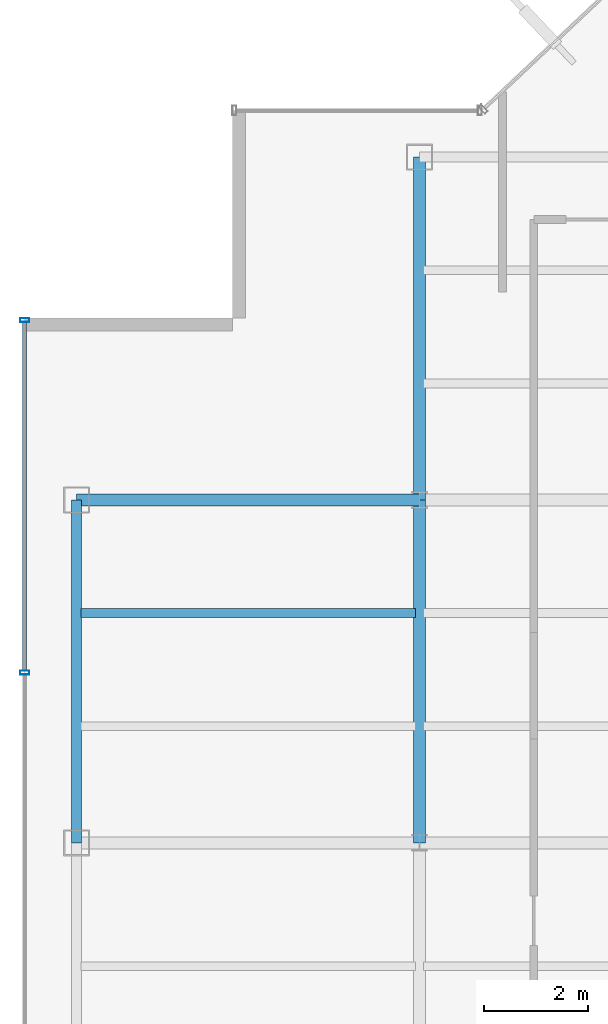
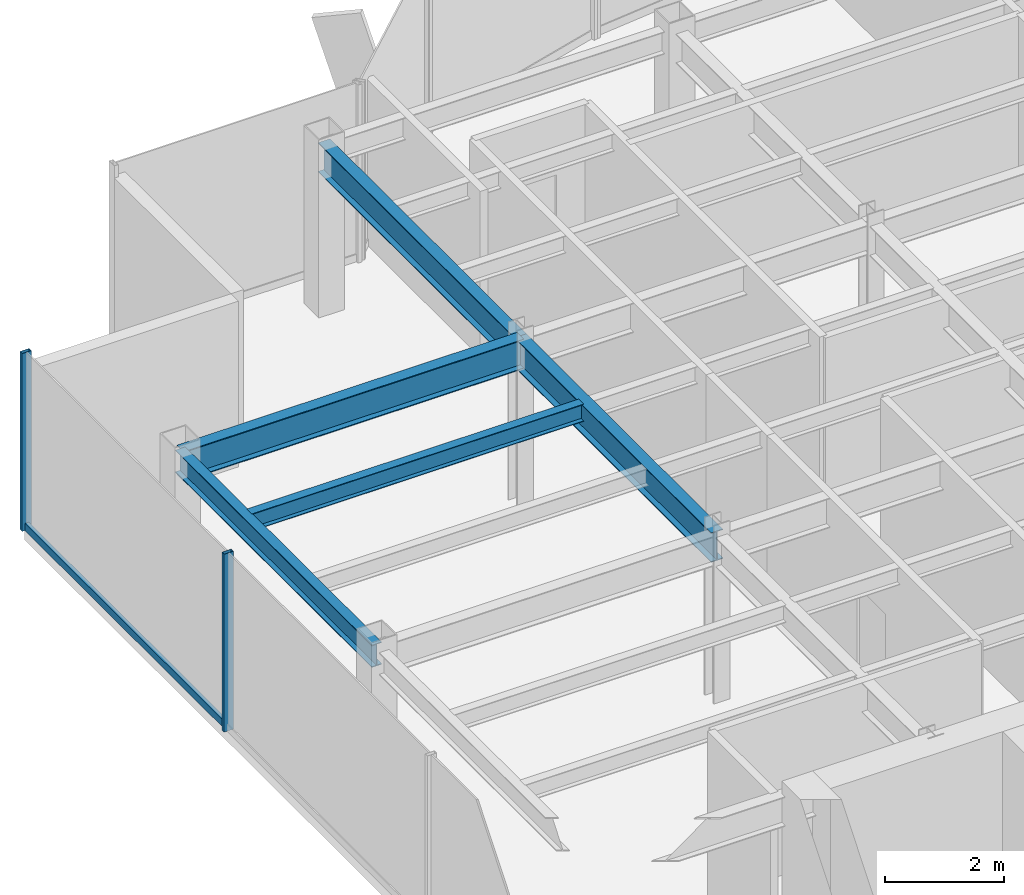
# One storey, part 7 of 22: 5 beams, 3 members, 1 element without a shape of its own.
"""IFC4 building model written with IfcOpenShell, lengths in metres."""

from ifc_helpers import new_model, si_unit, derived_unit, direction, frame, origin, origin_2d, place, context, subcontext, project, spatial, hollow_rectangle, i_section, extrude, source, transform, mapped, material, material_profile, profile_set, type_object, element, aggregate, save


model = new_model("IFC4")

# Units and contexts
model_context = context("Model", 3, precision=1e-05, world=origin(), true_north=direction((0.0, 1.0)))
body_context = subcontext(model_context, "Body", "Model", "MODEL_VIEW")
ifc_project = project(units=[si_unit("LENGTHUNIT", "METRE"), si_unit("AREAUNIT", "SQUARE_METRE"), si_unit("VOLUMEUNIT", "CUBIC_METRE"), si_unit("PLANEANGLEUNIT", "RADIAN"), si_unit("MASSUNIT", "GRAM", prefix="KILO"), derived_unit("THERMALTRANSMITTANCEUNIT", [(si_unit("POWERUNIT", "WATT"), 1), (si_unit("LENGTHUNIT", "METRE"), -2), (si_unit("THERMODYNAMICTEMPERATUREUNIT", "KELVIN"), -1)])], contexts=[model_context])

# Site, building, storey
site_placement = place(None, origin())
site = spatial("IfcSite", under=ifc_project, at=site_placement, CompositionType="ELEMENT")
building_placement = place(site_placement, origin())
building = spatial("IfcBuilding", under=site, at=building_placement, Name="Skarnbrae Concourse Arena and Tower", CompositionType="ELEMENT")
storey_placement = place(building_placement, frame((0.0, 0.0, 210.5)))
storey = spatial("IfcBuildingStorey", under=building, at=storey_placement, Name="L54", CompositionType="ELEMENT", Elevation=210.5)

# Beams
ifc_material_1 = material(Name="Steel CSA G40.21 350W", Category="steel")
ifc_material_profile_1 = material_profile(ifc_material_1, i_section(OverallWidth=0.22802734375, OverallDepth=0.60791015625, WebThickness=0.01123046875, FlangeThickness=0.017333984375, at=origin_2d()), Name="W610X113")
ifc_profile_set_1 = profile_set([ifc_material_profile_1], Name="Steel CSA G40.21 350W")
beam_type_1 = type_object("IfcBeamType", Name="BM-GIRD-W610X113", PredefinedType="BEAM", material=ifc_profile_set_1)
shared_shape_1 = source(origin(), body_context, "Body", "SweptSolid", [
    extrude(i_section(OverallWidth=0.22802734375, OverallDepth=0.60791015625, WebThickness=0.01123046875, FlangeThickness=0.017333984375, at=origin_2d()), origin(), (0.0, 0.0, 1.0), 6.60009765625),
])
for number, where, z_axis, x_axis, name in (
    (1, (1.0, 27.800048828125, 3.095947265625), (1.0, 0.0, 0.0), (0.0, 1.0, 0.0), "L54 Primary E-W girder Y27.8-1"),
    (2, (7.60009765625, 21.199951171875, 3.095947265625), (0.0, 1.0, 0.0), (-1.0, 0.0, 0.0), "L54 Primary N-S girder X7.6-2"),
):
    element("IfcBeam", number, at=place(storey_placement, frame(where, z_axis=z_axis, x_axis=x_axis)), inside=storey, type_object=beam_type_1, Name=name, PredefinedType="BEAM", context=body_context, shape_type="MappedRepresentation", body=[
        mapped(shared_shape_1, transform((0.0, 0.0, 0.0))),
    ])
ifc_material_profile_2 = material_profile(ifc_material_1, i_section(OverallWidth=0.19091796875, OverallDepth=0.4599609375, WebThickness=0.010009765625, FlangeThickness=0.01611328125, at=origin_2d()), Name="W460X82")
ifc_profile_set_2 = profile_set([ifc_material_profile_2], Name="Steel CSA G40.21 350W")
beam_type_2 = type_object("IfcBeamType", Name="BM-SPAN-W460X82", PredefinedType="SPANDREL", material=ifc_profile_set_2)
shared_shape_2 = source(origin(), body_context, "Body", "SweptSolid", [
    extrude(i_section(OverallWidth=0.19091796875, OverallDepth=0.4599609375, WebThickness=0.010009765625, FlangeThickness=0.01611328125, at=origin_2d()), origin(), (0.0, 0.0, 1.0), 6.60009765625),
])
beam_1_placement = place(storey_placement, frame((1.0, 21.199951171875, 3.169921875), z_axis=(0.0, 1.0, 0.0), x_axis=(-1.0, 0.0, 0.0)))
element("IfcBeam", 3, at=beam_1_placement, inside=storey, type_object=beam_type_2, Name="L54 Perimeter spandrel X1.0-3", PredefinedType="SPANDREL", context=body_context, shape_type="MappedRepresentation", body=[
    mapped(shared_shape_2, transform((0.0, 0.0, 0.0))),
])
shared_shape_3 = source(origin(), body_context, "Body", "SweptSolid", [
    extrude(i_section(OverallWidth=0.22802734375, OverallDepth=0.60791015625, WebThickness=0.01123046875, FlangeThickness=0.017333984375, at=origin_2d()), origin(), (0.0, 0.0, 1.0), 6.599853515625),
])
beam_2_placement = place(storey_placement, frame((7.60009765625, 27.800048828125, 3.095947265625), z_axis=(0.0, 1.0, 0.0), x_axis=(-1.0, 0.0, 0.0)))
element("IfcBeam", 4, at=beam_2_placement, inside=storey, type_object=beam_type_1, Name="L54 Primary N-S girder X7.6-3", PredefinedType="BEAM", context=body_context, shape_type="MappedRepresentation", body=[
    mapped(shared_shape_3, transform((0.0, 0.0, 0.0))),
])
ifc_material_profile_3 = material_profile(ifc_material_1, i_section(OverallWidth=0.1708984375, OverallDepth=0.35498046875, WebThickness=0.007080078125, FlangeThickness=0.01171875, at=origin_2d()), Name="W360X51")
ifc_profile_set_3 = profile_set([ifc_material_profile_3], Name="Steel CSA G40.21 350W")
beam_type_3 = type_object("IfcBeamType", Name="BM-JOIST-W360X51", PredefinedType="JOIST", material=ifc_profile_set_3)
shared_shape_4 = source(origin(), body_context, "Body", "SweptSolid", [
    extrude(i_section(OverallWidth=0.1708984375, OverallDepth=0.35498046875, WebThickness=0.007080078125, FlangeThickness=0.01171875, at=origin_2d()), origin(), (0.0, 0.0, 1.0), 6.43994140625),
])
beam_3_placement = place(storey_placement, frame((1.080078125, 25.6220703125, 3.222412109375), z_axis=(1.0, 0.0, 0.0), x_axis=(0.0, 1.0, 0.0)))
element("IfcBeam", 5, at=beam_3_placement, inside=storey, type_object=beam_type_3, Name="L54 Secondary floor joist 2.2.1", PredefinedType="JOIST", context=body_context, shape_type="MappedRepresentation", body=[
    mapped(shared_shape_4, transform((0.0, 0.0, 0.0))),
])

# Curtain wall, members
ifc_material_2 = material(Name="Bronze anodised aluminium 6063-T6", Category="aluminium")
curtain_wall_type = type_object("IfcCurtainWallType", Name="CW-SYS-05-HIGHZONE", PredefinedType="USERDEFINED", material=ifc_material_2)
curtain_wall_placement = place(storey_placement, origin())
curtain_wall = element("IfcCurtainWall", 6, at=curtain_wall_placement, inside=storey, type_object=curtain_wall_type, Name="L54 Unitised curtain wall CW-L54-E18", ObjectType="UNITISED CURTAIN WALL", PredefinedType="USERDEFINED")
ifc_material_profile_4 = material_profile(ifc_material_2, hollow_rectangle(XDim=0.074951171875, YDim=0.179931640625, WallThickness=0.00390625, at=origin_2d()), Name="ALU-MULL-75X180")
ifc_profile_set_4 = profile_set([ifc_material_profile_4], Name="Bronze anodised aluminium 6063-T6")
member_type_1 = type_object("IfcMemberType", Name="CWM-CW-05", PredefinedType="MULLION", material=ifc_profile_set_4)
shared_shape_5 = source(origin(), body_context, "Body", "SweptSolid", [
    extrude(hollow_rectangle(XDim=0.074951171875, YDim=0.179931640625, WallThickness=0.00390625, at=origin_2d()), origin(), (0.0, 0.0, 1.0), 3.64990234375),
])
member_1_placement = place(storey_placement, frame((0.0, 31.262451171875, 0.0), z_axis=(0.0, 0.0, 1.0), x_axis=(0.0, -1.0, 0.0)))
member_1 = element("IfcMember", 7, at=member_1_placement, type_object=member_type_1, Name="CW-L54-E18 Mullion 1", PredefinedType="MULLION", context=body_context, shape_type="MappedRepresentation", body=[
    mapped(shared_shape_5, transform((0.0, 0.0, 0.0))),
])
member_2_placement = place(storey_placement, frame((0.0, 24.47509765625, 0.0), z_axis=(0.0, 0.0, 1.0), x_axis=(0.0, -1.0, 0.0)))
member_2 = element("IfcMember", 8, at=member_2_placement, type_object=member_type_1, Name="CW-L54-E18 Mullion 2", PredefinedType="MULLION", context=body_context, shape_type="MappedRepresentation", body=[
    mapped(shared_shape_5, transform((0.0, 0.0, 0.0))),
])
ifc_material_profile_5 = material_profile(ifc_material_2, hollow_rectangle(XDim=0.074951171875, YDim=0.14990234375, WallThickness=0.00390625, at=origin_2d()), Name="ALU-TRAN-75X150")
ifc_profile_set_5 = profile_set([ifc_material_profile_5], Name="Bronze anodised aluminium 6063-T6")
member_type_2 = type_object("IfcMemberType", Name="CWT-CW-05", PredefinedType="USERDEFINED", material=ifc_profile_set_5)
shared_shape_6 = source(origin(), body_context, "Body", "SweptSolid", [
    extrude(hollow_rectangle(XDim=0.074951171875, YDim=0.14990234375, WallThickness=0.00390625, at=origin_2d()), origin(), (0.0, 0.0, 1.0), 6.712646484375),
])
member_3_placement = place(storey_placement, frame((0.0, 31.22509765625, 0.074951171875), z_axis=(0.0, -1.0, 0.0), x_axis=(1.0, 0.0, 0.0)))
member_3 = element("IfcMember", 9, at=member_3_placement, type_object=member_type_2, Name="CW-L54-E18 Transom 1", ObjectType="TRANSOM", PredefinedType="USERDEFINED", context=body_context, shape_type="MappedRepresentation", body=[
    mapped(shared_shape_6, transform((0.0, 0.0, 0.0))),
])
aggregate(curtain_wall, [member_1, member_2, member_3])

save(model, "model.ifc")
